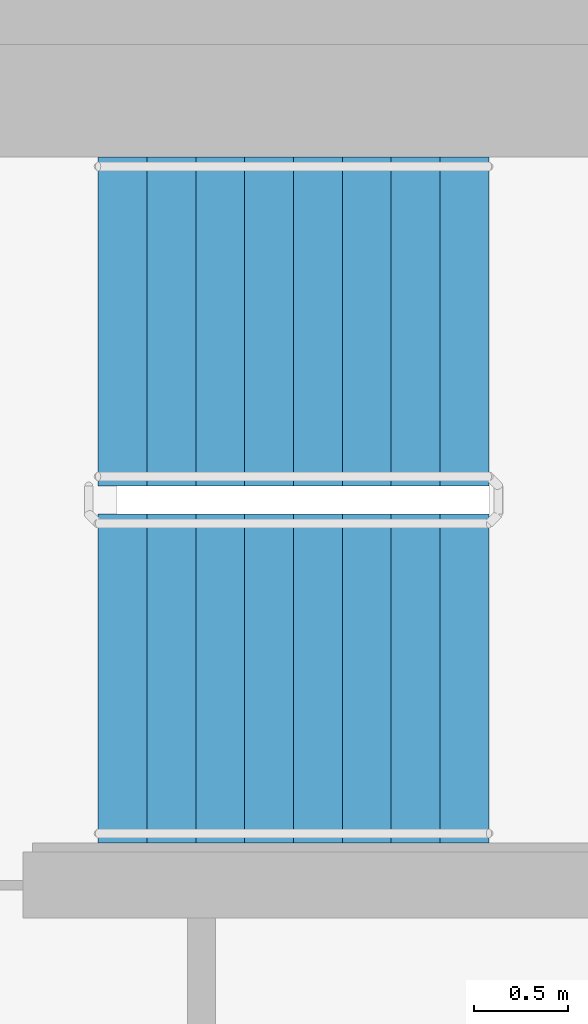
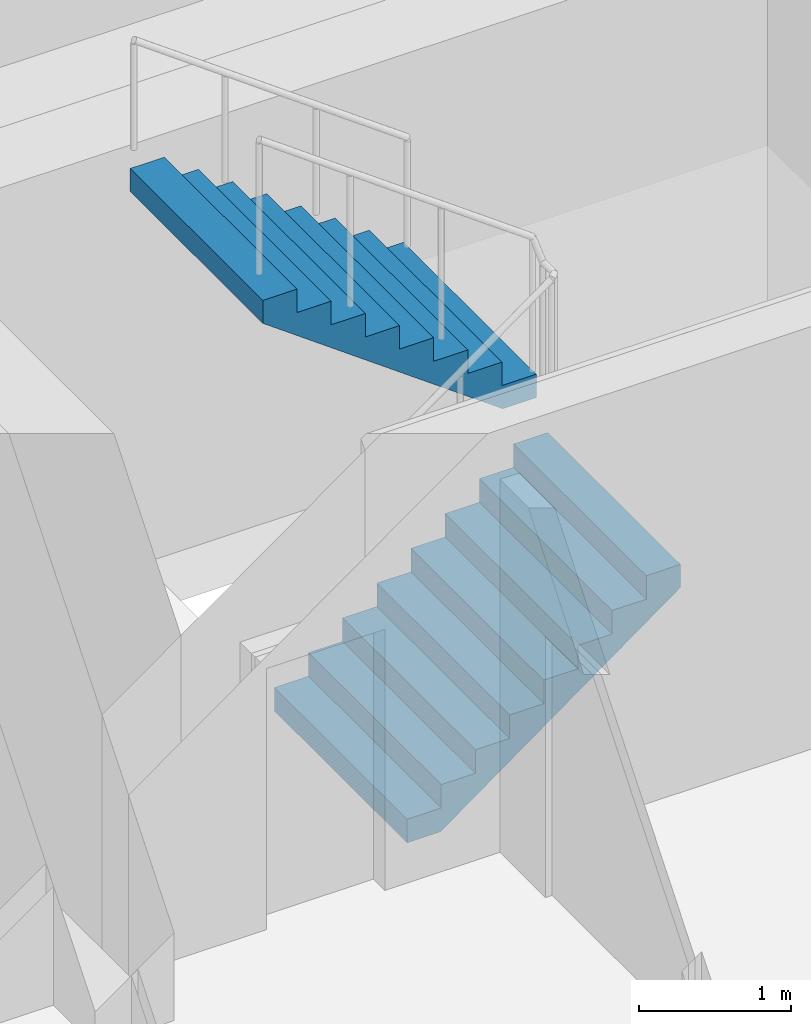
# One storey, part 13 of 18: 2 stair flights, 1 element without a shape of its own.
"""IFC4 building model written with IfcOpenShell, lengths in metres."""

from ifc_helpers import new_model, si_unit, direction, frame, origin, place, context, subcontext, project, spatial, faceted_brep, material, type_object, element, aggregate, save


model = new_model("IFC4")

# Units and contexts
model_context = context("Model", 3, precision=1e-05, world=origin(), true_north=direction((0.0, 1.0)))
body_context = subcontext(model_context, "Body", "Model", "MODEL_VIEW")
ifc_project = project(units=[si_unit("LENGTHUNIT", "METRE"), si_unit("AREAUNIT", "SQUARE_METRE"), si_unit("VOLUMEUNIT", "CUBIC_METRE"), si_unit("PLANEANGLEUNIT", "RADIAN"), si_unit("MASSUNIT", "GRAM", prefix="KILO")], contexts=[model_context])

# Site, building, storey
site_placement = place(None, origin())
site = spatial("IfcSite", under=ifc_project, at=site_placement, CompositionType="ELEMENT")
building_placement = place(site_placement, origin())
building = spatial("IfcBuilding", under=site, at=building_placement, Name="Ipe Terrace Towers", CompositionType="ELEMENT")
storey_placement = place(building_placement, frame((0.0, 0.0, 213.0)))
storey = spatial("IfcBuildingStorey", under=building, at=storey_placement, Name="L59", CompositionType="ELEMENT", Elevation=213.0)

# Stair, stair flights
ifc_material_1 = material(Name="Concrete C30/37", Category="concrete")
stair_type = type_object("IfcStairType", Name="Protected exit stair", PredefinedType="HALF_TURN_STAIR", material=ifc_material_1)
stair_placement = place(storey_placement, origin())
stair = element("IfcStair", 1, at=stair_placement, inside=storey, type_object=stair_type, Name="L59 Exit stair T1-C1", PredefinedType="HALF_TURN_STAIR")
ifc_material_2 = material(Name="Concrete C30/37", Category="concrete")
stair_flight_type = type_object("IfcStairFlightType", Name="Exit stair flight 1750", PredefinedType="STRAIGHT", material=ifc_material_2)
stair_flight_1_placement = place(storey_placement, frame((-26.300048828125, 2.77490234375, 0.0), z_axis=(0.0, 0.0, 1.0), x_axis=(1.0, 0.0, 0.0)))
stair_flight_1 = element("IfcStairFlight", 2, at=stair_flight_1_placement, type_object=stair_flight_type, Name="T1-ST1 flight 1", NumberOfRisers=9, NumberOfTreads=8, PredefinedType="STRAIGHT", RiserHeight=0.188888889, TreadLength=0.26, context=body_context, shape_type="Brep", body=[
    faceted_brep([(0.255126953125, -0.875, 0.0), (2.080078125, -0.875, 1.325927734375), (2.080078125, -0.875, 1.51123046875), (1.820068359375, -0.875, 1.51123046875), (1.820068359375, -0.875, 1.322265625), (1.56005859375, -0.875, 1.322265625), (1.56005859375, -0.875, 1.13330078125), (1.300048828125, -0.875, 1.13330078125), (1.300048828125, -0.875, 0.9443359375), (1.0400390625, -0.875, 0.9443359375), (1.0400390625, -0.875, 0.755615234375), (0.780029296875, -0.875, 0.755615234375), (0.780029296875, -0.875, 0.566650390625), (0.52001953125, -0.875, 0.566650390625), (0.52001953125, -0.875, 0.377685546875), (0.260009765625, -0.875, 0.377685546875), (0.260009765625, -0.875, 0.18896484375), (0.0, -0.875, 0.18896484375), (0.0, -0.875, 0.0), (0.0, 0.875, 0.0), (0.0, 0.875, 0.18896484375), (0.260009765625, 0.875, 0.18896484375), (0.260009765625, 0.875, 0.377685546875), (0.52001953125, 0.875, 0.377685546875), (0.52001953125, 0.875, 0.566650390625), (0.780029296875, 0.875, 0.566650390625), (0.780029296875, 0.875, 0.755615234375), (1.0400390625, 0.875, 0.755615234375), (1.0400390625, 0.875, 0.9443359375), (1.300048828125, 0.875, 0.9443359375), (1.300048828125, 0.875, 1.13330078125), (1.56005859375, 0.875, 1.13330078125), (1.56005859375, 0.875, 1.322265625), (1.820068359375, 0.875, 1.322265625), (1.820068359375, 0.875, 1.51123046875), (2.080078125, 0.875, 1.51123046875), (2.080078125, 0.875, 1.325927734375), (0.255126953125, 0.875, 0.0), (0.0, -0.300048828125, 0.18896484375), (0.0, -0.1201171875, 0.18896484375), (0.0, -0.06005859375, 0.18896484375), (0.0, -0.030029296875, 0.18896484375), (0.0, -0.010009765625, 0.18896484375), (0.0, 0.0, 0.18896484375), (0.0, 0.010009765625, 0.18896484375), (0.0, 0.030029296875, 0.18896484375), (0.0, 0.06005859375, 0.18896484375), (0.0, 0.1201171875, 0.18896484375), (0.0, 0.300048828125, 0.18896484375), (0.0, 0.300048828125, 0.0), (0.0, 0.1201171875, 0.0), (0.0, 0.06005859375, 0.0), (0.0, 0.030029296875, 0.0), (0.0, 0.010009765625, 0.0), (0.0, 0.0, 0.0), (0.0, -0.010009765625, 0.0), (0.0, -0.030029296875, 0.0), (0.0, -0.06005859375, 0.0), (0.0, -0.1201171875, 0.0), (0.0, -0.300048828125, 0.0), (0.260009765625, -0.300048828125, 0.18896484375), (0.260009765625, -0.1201171875, 0.18896484375), (0.260009765625, -0.06005859375, 0.18896484375), (0.260009765625, -0.030029296875, 0.18896484375), (0.260009765625, -0.010009765625, 0.18896484375), (0.260009765625, 0.0, 0.18896484375), (0.260009765625, 0.010009765625, 0.18896484375), (0.260009765625, 0.030029296875, 0.18896484375), (0.260009765625, 0.06005859375, 0.18896484375), (0.260009765625, 0.1201171875, 0.18896484375), (0.260009765625, 0.300048828125, 0.18896484375), (0.260009765625, -0.300048828125, 0.377685546875), (0.260009765625, -0.1201171875, 0.377685546875), (0.260009765625, -0.06005859375, 0.377685546875), (0.260009765625, -0.030029296875, 0.377685546875), (0.260009765625, -0.010009765625, 0.377685546875), (0.260009765625, 0.0, 0.377685546875), (0.260009765625, 0.010009765625, 0.377685546875), (0.260009765625, 0.030029296875, 0.377685546875), (0.260009765625, 0.06005859375, 0.377685546875), (0.260009765625, 0.1201171875, 0.377685546875), (0.260009765625, 0.300048828125, 0.377685546875), (0.52001953125, -0.300048828125, 0.377685546875), (0.52001953125, -0.1201171875, 0.377685546875), (0.52001953125, -0.06005859375, 0.377685546875), (0.52001953125, -0.030029296875, 0.377685546875), (0.52001953125, -0.010009765625, 0.377685546875), (0.52001953125, 0.0, 0.377685546875), (0.52001953125, 0.010009765625, 0.377685546875), (0.52001953125, 0.030029296875, 0.377685546875), (0.52001953125, 0.06005859375, 0.377685546875), (0.52001953125, 0.1201171875, 0.377685546875), (0.52001953125, 0.300048828125, 0.377685546875), (0.52001953125, -0.300048828125, 0.566650390625), (0.52001953125, -0.1201171875, 0.566650390625), (0.52001953125, -0.06005859375, 0.566650390625), (0.52001953125, -0.030029296875, 0.566650390625), (0.52001953125, -0.010009765625, 0.566650390625), (0.52001953125, 0.0, 0.566650390625), (0.52001953125, 0.010009765625, 0.566650390625), (0.52001953125, 0.030029296875, 0.566650390625), (0.52001953125, 0.06005859375, 0.566650390625), (0.52001953125, 0.1201171875, 0.566650390625), (0.52001953125, 0.300048828125, 0.566650390625), (0.780029296875, -0.300048828125, 0.566650390625), (0.780029296875, -0.1201171875, 0.566650390625), (0.780029296875, -0.06005859375, 0.566650390625), (0.780029296875, -0.030029296875, 0.566650390625), (0.780029296875, -0.010009765625, 0.566650390625), (0.780029296875, 0.0, 0.566650390625), (0.780029296875, 0.010009765625, 0.566650390625), (0.780029296875, 0.030029296875, 0.566650390625), (0.780029296875, 0.06005859375, 0.566650390625), (0.780029296875, 0.1201171875, 0.566650390625), (0.780029296875, 0.300048828125, 0.566650390625), (0.780029296875, -0.300048828125, 0.755615234375), (0.780029296875, -0.1201171875, 0.755615234375), (0.780029296875, -0.06005859375, 0.755615234375), (0.780029296875, -0.030029296875, 0.755615234375), (0.780029296875, -0.010009765625, 0.755615234375), (0.780029296875, 0.0, 0.755615234375), (0.780029296875, 0.010009765625, 0.755615234375), (0.780029296875, 0.030029296875, 0.755615234375), (0.780029296875, 0.06005859375, 0.755615234375), (0.780029296875, 0.1201171875, 0.755615234375), (0.780029296875, 0.300048828125, 0.755615234375), (1.0400390625, -0.300048828125, 0.755615234375), (1.0400390625, -0.1201171875, 0.755615234375), (1.0400390625, -0.06005859375, 0.755615234375), (1.0400390625, -0.030029296875, 0.755615234375), (1.0400390625, -0.010009765625, 0.755615234375), (1.0400390625, 0.0, 0.755615234375), (1.0400390625, 0.010009765625, 0.755615234375), (1.0400390625, 0.030029296875, 0.755615234375), (1.0400390625, 0.06005859375, 0.755615234375), (1.0400390625, 0.1201171875, 0.755615234375), (1.0400390625, 0.300048828125, 0.755615234375), (1.0400390625, -0.300048828125, 0.9443359375), (1.0400390625, -0.1201171875, 0.9443359375), (1.0400390625, -0.06005859375, 0.9443359375), (1.0400390625, -0.030029296875, 0.9443359375), (1.0400390625, -0.010009765625, 0.9443359375), (1.0400390625, 0.0, 0.9443359375), (1.0400390625, 0.010009765625, 0.9443359375), (1.0400390625, 0.030029296875, 0.9443359375), (1.0400390625, 0.06005859375, 0.9443359375), (1.0400390625, 0.1201171875, 0.9443359375), (1.0400390625, 0.300048828125, 0.9443359375), (1.300048828125, -0.300048828125, 0.9443359375), (1.300048828125, -0.1201171875, 0.9443359375), (1.300048828125, -0.06005859375, 0.9443359375), (1.300048828125, -0.030029296875, 0.9443359375), (1.300048828125, -0.010009765625, 0.9443359375), (1.300048828125, 0.0, 0.9443359375), (1.300048828125, 0.010009765625, 0.9443359375), (1.300048828125, 0.030029296875, 0.9443359375), (1.300048828125, 0.06005859375, 0.9443359375), (1.300048828125, 0.1201171875, 0.9443359375), (1.300048828125, 0.300048828125, 0.9443359375), (1.300048828125, -0.300048828125, 1.13330078125), (1.300048828125, -0.1201171875, 1.13330078125), (1.300048828125, -0.06005859375, 1.13330078125), (1.300048828125, -0.030029296875, 1.13330078125), (1.300048828125, -0.010009765625, 1.13330078125), (1.300048828125, 0.0, 1.13330078125), (1.300048828125, 0.010009765625, 1.13330078125), (1.300048828125, 0.030029296875, 1.13330078125), (1.300048828125, 0.06005859375, 1.13330078125), (1.300048828125, 0.1201171875, 1.13330078125), (1.300048828125, 0.300048828125, 1.13330078125), (1.56005859375, -0.300048828125, 1.13330078125), (1.56005859375, -0.1201171875, 1.13330078125), (1.56005859375, -0.06005859375, 1.13330078125), (1.56005859375, -0.030029296875, 1.13330078125), (1.56005859375, -0.010009765625, 1.13330078125), (1.56005859375, 0.0, 1.13330078125), (1.56005859375, 0.010009765625, 1.13330078125), (1.56005859375, 0.030029296875, 1.13330078125), (1.56005859375, 0.06005859375, 1.13330078125), (1.56005859375, 0.1201171875, 1.13330078125), (1.56005859375, 0.300048828125, 1.13330078125), (1.56005859375, -0.300048828125, 1.322265625), (1.56005859375, -0.1201171875, 1.322265625), (1.56005859375, -0.06005859375, 1.322265625), (1.56005859375, -0.030029296875, 1.322265625), (1.56005859375, -0.010009765625, 1.322265625), (1.56005859375, 0.0, 1.322265625), (1.56005859375, 0.010009765625, 1.322265625), (1.56005859375, 0.030029296875, 1.322265625), (1.56005859375, 0.06005859375, 1.322265625), (1.56005859375, 0.1201171875, 1.322265625), (1.56005859375, 0.300048828125, 1.322265625), (1.820068359375, -0.300048828125, 1.322265625), (1.820068359375, -0.1201171875, 1.322265625), (1.820068359375, -0.06005859375, 1.322265625), (1.820068359375, -0.030029296875, 1.322265625), (1.820068359375, -0.010009765625, 1.322265625), (1.820068359375, 0.0, 1.322265625), (1.820068359375, 0.010009765625, 1.322265625), (1.820068359375, 0.030029296875, 1.322265625), (1.820068359375, 0.06005859375, 1.322265625), (1.820068359375, 0.1201171875, 1.322265625), (1.820068359375, 0.300048828125, 1.322265625), (1.820068359375, -0.300048828125, 1.51123046875), (1.820068359375, -0.1201171875, 1.51123046875), (1.820068359375, -0.06005859375, 1.51123046875), (1.820068359375, -0.030029296875, 1.51123046875), (1.820068359375, -0.010009765625, 1.51123046875), (1.820068359375, 0.0, 1.51123046875), (1.820068359375, 0.010009765625, 1.51123046875), (1.820068359375, 0.030029296875, 1.51123046875), (1.820068359375, 0.06005859375, 1.51123046875), (1.820068359375, 0.1201171875, 1.51123046875), (1.820068359375, 0.300048828125, 1.51123046875), (2.080078125, -0.300048828125, 1.51123046875), (2.080078125, -0.1201171875, 1.51123046875), (2.080078125, -0.06005859375, 1.51123046875), (2.080078125, -0.030029296875, 1.51123046875), (2.080078125, -0.010009765625, 1.51123046875), (2.080078125, 0.0, 1.51123046875), (2.080078125, 0.010009765625, 1.51123046875), (2.080078125, 0.030029296875, 1.51123046875), (2.080078125, 0.06005859375, 1.51123046875), (2.080078125, 0.1201171875, 1.51123046875), (2.080078125, 0.300048828125, 1.51123046875), (2.080078125, -0.300048828125, 1.325927734375), (2.080078125, -0.1201171875, 1.325927734375), (2.080078125, -0.06005859375, 1.325927734375), (2.080078125, -0.030029296875, 1.325927734375), (2.080078125, -0.010009765625, 1.325927734375), (2.080078125, 0.0, 1.325927734375), (2.080078125, 0.010009765625, 1.325927734375), (2.080078125, 0.030029296875, 1.325927734375), (2.080078125, 0.06005859375, 1.325927734375), (2.080078125, 0.1201171875, 1.325927734375), (2.080078125, 0.300048828125, 1.325927734375), (0.255126953125, -0.300048828125, 0.0), (0.255126953125, -0.1201171875, 0.0), (0.255126953125, -0.06005859375, 0.0), (0.255126953125, -0.030029296875, 0.0), (0.255126953125, -0.010009765625, 0.0), (0.255126953125, 0.0, 0.0), (0.255126953125, 0.010009765625, 0.0), (0.255126953125, 0.030029296875, 0.0), (0.255126953125, 0.06005859375, 0.0), (0.255126953125, 0.1201171875, 0.0), (0.255126953125, 0.300048828125, 0.0)], [[[0, 1, 2, 3, 4, 5, 6, 7, 8, 9, 10, 11, 12, 13, 14, 15, 16, 17, 18]], [[19, 20, 21, 22, 23, 24, 25, 26, 27, 28, 29, 30, 31, 32, 33, 34, 35, 36, 37]], [[17, 38, 39, 40, 41, 42, 43, 44, 45, 46, 47, 48, 20, 19, 49, 50, 51, 52, 53, 54, 55, 56, 57, 58, 59, 18]], [[16, 60, 61, 62, 63, 64, 65, 66, 67, 68, 69, 70, 21, 20, 48, 47, 46, 45, 44, 43, 42, 41, 40, 39, 38, 17]], [[15, 71, 72, 73, 74, 75, 76, 77, 78, 79, 80, 81, 22, 21, 70, 69, 68, 67, 66, 65, 64, 63, 62, 61, 60, 16]], [[14, 82, 83, 84, 85, 86, 87, 88, 89, 90, 91, 92, 23, 22, 81, 80, 79, 78, 77, 76, 75, 74, 73, 72, 71, 15]], [[13, 93, 94, 95, 96, 97, 98, 99, 100, 101, 102, 103, 24, 23, 92, 91, 90, 89, 88, 87, 86, 85, 84, 83, 82, 14]], [[12, 104, 105, 106, 107, 108, 109, 110, 111, 112, 113, 114, 25, 24, 103, 102, 101, 100, 99, 98, 97, 96, 95, 94, 93, 13]], [[11, 115, 116, 117, 118, 119, 120, 121, 122, 123, 124, 125, 26, 25, 114, 113, 112, 111, 110, 109, 108, 107, 106, 105, 104, 12]], [[10, 126, 127, 128, 129, 130, 131, 132, 133, 134, 135, 136, 27, 26, 125, 124, 123, 122, 121, 120, 119, 118, 117, 116, 115, 11]], [[9, 137, 138, 139, 140, 141, 142, 143, 144, 145, 146, 147, 28, 27, 136, 135, 134, 133, 132, 131, 130, 129, 128, 127, 126, 10]], [[8, 148, 149, 150, 151, 152, 153, 154, 155, 156, 157, 158, 29, 28, 147, 146, 145, 144, 143, 142, 141, 140, 139, 138, 137, 9]], [[7, 159, 160, 161, 162, 163, 164, 165, 166, 167, 168, 169, 30, 29, 158, 157, 156, 155, 154, 153, 152, 151, 150, 149, 148, 8]], [[6, 170, 171, 172, 173, 174, 175, 176, 177, 178, 179, 180, 31, 30, 169, 168, 167, 166, 165, 164, 163, 162, 161, 160, 159, 7]], [[5, 181, 182, 183, 184, 185, 186, 187, 188, 189, 190, 191, 32, 31, 180, 179, 178, 177, 176, 175, 174, 173, 172, 171, 170, 6]], [[4, 192, 193, 194, 195, 196, 197, 198, 199, 200, 201, 202, 33, 32, 191, 190, 189, 188, 187, 186, 185, 184, 183, 182, 181, 5]], [[3, 203, 204, 205, 206, 207, 208, 209, 210, 211, 212, 213, 34, 33, 202, 201, 200, 199, 198, 197, 196, 195, 194, 193, 192, 4]], [[2, 214, 215, 216, 217, 218, 219, 220, 221, 222, 223, 224, 35, 34, 213, 212, 211, 210, 209, 208, 207, 206, 205, 204, 203, 3]], [[1, 225, 226, 227, 228, 229, 230, 231, 232, 233, 234, 235, 36, 35, 224, 223, 222, 221, 220, 219, 218, 217, 216, 215, 214, 2]], [[0, 236, 237, 238, 239, 240, 241, 242, 243, 244, 245, 246, 37, 36, 235, 234, 233, 232, 231, 230, 229, 228, 227, 226, 225, 1]], [[18, 59, 58, 57, 56, 55, 54, 53, 52, 51, 50, 49, 19, 37, 246, 245, 244, 243, 242, 241, 240, 239, 238, 237, 236, 0]]]),
])
stair_flight_2_placement = place(storey_placement, frame((-24.219970703125, 4.675048828125, 1.699951171875), z_axis=(0.0, 0.0, 1.0), x_axis=(-1.0, 0.0, 0.0)))
stair_flight_2 = element("IfcStairFlight", 3, at=stair_flight_2_placement, type_object=stair_flight_type, Name="T1-ST1 flight 2", NumberOfRisers=9, NumberOfTreads=8, PredefinedType="STRAIGHT", RiserHeight=0.188888889, TreadLength=0.26, context=body_context, shape_type="Brep", body=[
    faceted_brep([(0.255126953125, -0.875, 0.0), (2.080078125, -0.875, 1.325927734375), (2.080078125, -0.875, 1.51123046875), (1.820068359375, -0.875, 1.51123046875), (1.820068359375, -0.875, 1.322265625), (1.56005859375, -0.875, 1.322265625), (1.56005859375, -0.875, 1.13330078125), (1.300048828125, -0.875, 1.13330078125), (1.300048828125, -0.875, 0.9443359375), (1.0400390625, -0.875, 0.9443359375), (1.0400390625, -0.875, 0.755615234375), (0.780029296875, -0.875, 0.755615234375), (0.780029296875, -0.875, 0.566650390625), (0.52001953125, -0.875, 0.566650390625), (0.52001953125, -0.875, 0.377685546875), (0.260009765625, -0.875, 0.377685546875), (0.260009765625, -0.875, 0.18896484375), (0.0, -0.875, 0.18896484375), (0.0, -0.875, 0.0), (0.0, 0.875, 0.0), (0.0, 0.875, 0.18896484375), (0.260009765625, 0.875, 0.18896484375), (0.260009765625, 0.875, 0.377685546875), (0.52001953125, 0.875, 0.377685546875), (0.52001953125, 0.875, 0.566650390625), (0.780029296875, 0.875, 0.566650390625), (0.780029296875, 0.875, 0.755615234375), (1.0400390625, 0.875, 0.755615234375), (1.0400390625, 0.875, 0.9443359375), (1.300048828125, 0.875, 0.9443359375), (1.300048828125, 0.875, 1.13330078125), (1.56005859375, 0.875, 1.13330078125), (1.56005859375, 0.875, 1.322265625), (1.820068359375, 0.875, 1.322265625), (1.820068359375, 0.875, 1.51123046875), (2.080078125, 0.875, 1.51123046875), (2.080078125, 0.875, 1.325927734375), (0.255126953125, 0.875, 0.0), (0.0, -0.300048828125, 0.18896484375), (0.0, -0.1201171875, 0.18896484375), (0.0, -0.06005859375, 0.18896484375), (0.0, -0.030029296875, 0.18896484375), (0.0, -0.010009765625, 0.18896484375), (0.0, 0.0, 0.18896484375), (0.0, 0.010009765625, 0.18896484375), (0.0, 0.030029296875, 0.18896484375), (0.0, 0.06005859375, 0.18896484375), (0.0, 0.1201171875, 0.18896484375), (0.0, 0.300048828125, 0.18896484375), (0.0, 0.300048828125, 0.0), (0.0, 0.1201171875, 0.0), (0.0, 0.06005859375, 0.0), (0.0, 0.030029296875, 0.0), (0.0, 0.010009765625, 0.0), (0.0, 0.0, 0.0), (0.0, -0.010009765625, 0.0), (0.0, -0.030029296875, 0.0), (0.0, -0.06005859375, 0.0), (0.0, -0.1201171875, 0.0), (0.0, -0.300048828125, 0.0), (0.260009765625, -0.300048828125, 0.18896484375), (0.260009765625, -0.1201171875, 0.18896484375), (0.260009765625, -0.06005859375, 0.18896484375), (0.260009765625, -0.030029296875, 0.18896484375), (0.260009765625, -0.010009765625, 0.18896484375), (0.260009765625, 0.0, 0.18896484375), (0.260009765625, 0.010009765625, 0.18896484375), (0.260009765625, 0.030029296875, 0.18896484375), (0.260009765625, 0.06005859375, 0.18896484375), (0.260009765625, 0.1201171875, 0.18896484375), (0.260009765625, 0.300048828125, 0.18896484375), (0.260009765625, -0.300048828125, 0.377685546875), (0.260009765625, -0.1201171875, 0.377685546875), (0.260009765625, -0.06005859375, 0.377685546875), (0.260009765625, -0.030029296875, 0.377685546875), (0.260009765625, -0.010009765625, 0.377685546875), (0.260009765625, 0.0, 0.377685546875), (0.260009765625, 0.010009765625, 0.377685546875), (0.260009765625, 0.030029296875, 0.377685546875), (0.260009765625, 0.06005859375, 0.377685546875), (0.260009765625, 0.1201171875, 0.377685546875), (0.260009765625, 0.300048828125, 0.377685546875), (0.52001953125, -0.300048828125, 0.377685546875), (0.52001953125, -0.1201171875, 0.377685546875), (0.52001953125, -0.06005859375, 0.377685546875), (0.52001953125, -0.030029296875, 0.377685546875), (0.52001953125, -0.010009765625, 0.377685546875), (0.52001953125, 0.0, 0.377685546875), (0.52001953125, 0.010009765625, 0.377685546875), (0.52001953125, 0.030029296875, 0.377685546875), (0.52001953125, 0.06005859375, 0.377685546875), (0.52001953125, 0.1201171875, 0.377685546875), (0.52001953125, 0.300048828125, 0.377685546875), (0.52001953125, -0.300048828125, 0.566650390625), (0.52001953125, -0.1201171875, 0.566650390625), (0.52001953125, -0.06005859375, 0.566650390625), (0.52001953125, -0.030029296875, 0.566650390625), (0.52001953125, -0.010009765625, 0.566650390625), (0.52001953125, 0.0, 0.566650390625), (0.52001953125, 0.010009765625, 0.566650390625), (0.52001953125, 0.030029296875, 0.566650390625), (0.52001953125, 0.06005859375, 0.566650390625), (0.52001953125, 0.1201171875, 0.566650390625), (0.52001953125, 0.300048828125, 0.566650390625), (0.780029296875, -0.300048828125, 0.566650390625), (0.780029296875, -0.1201171875, 0.566650390625), (0.780029296875, -0.06005859375, 0.566650390625), (0.780029296875, -0.030029296875, 0.566650390625), (0.780029296875, -0.010009765625, 0.566650390625), (0.780029296875, 0.0, 0.566650390625), (0.780029296875, 0.010009765625, 0.566650390625), (0.780029296875, 0.030029296875, 0.566650390625), (0.780029296875, 0.06005859375, 0.566650390625), (0.780029296875, 0.1201171875, 0.566650390625), (0.780029296875, 0.300048828125, 0.566650390625), (0.780029296875, -0.300048828125, 0.755615234375), (0.780029296875, -0.1201171875, 0.755615234375), (0.780029296875, -0.06005859375, 0.755615234375), (0.780029296875, -0.030029296875, 0.755615234375), (0.780029296875, -0.010009765625, 0.755615234375), (0.780029296875, 0.0, 0.755615234375), (0.780029296875, 0.010009765625, 0.755615234375), (0.780029296875, 0.030029296875, 0.755615234375), (0.780029296875, 0.06005859375, 0.755615234375), (0.780029296875, 0.1201171875, 0.755615234375), (0.780029296875, 0.300048828125, 0.755615234375), (1.0400390625, -0.300048828125, 0.755615234375), (1.0400390625, -0.1201171875, 0.755615234375), (1.0400390625, -0.06005859375, 0.755615234375), (1.0400390625, -0.030029296875, 0.755615234375), (1.0400390625, -0.010009765625, 0.755615234375), (1.0400390625, 0.0, 0.755615234375), (1.0400390625, 0.010009765625, 0.755615234375), (1.0400390625, 0.030029296875, 0.755615234375), (1.0400390625, 0.06005859375, 0.755615234375), (1.0400390625, 0.1201171875, 0.755615234375), (1.0400390625, 0.300048828125, 0.755615234375), (1.0400390625, -0.300048828125, 0.9443359375), (1.0400390625, -0.1201171875, 0.9443359375), (1.0400390625, -0.06005859375, 0.9443359375), (1.0400390625, -0.030029296875, 0.9443359375), (1.0400390625, -0.010009765625, 0.9443359375), (1.0400390625, 0.0, 0.9443359375), (1.0400390625, 0.010009765625, 0.9443359375), (1.0400390625, 0.030029296875, 0.9443359375), (1.0400390625, 0.06005859375, 0.9443359375), (1.0400390625, 0.1201171875, 0.9443359375), (1.0400390625, 0.300048828125, 0.9443359375), (1.300048828125, -0.300048828125, 0.9443359375), (1.300048828125, -0.1201171875, 0.9443359375), (1.300048828125, -0.06005859375, 0.9443359375), (1.300048828125, -0.030029296875, 0.9443359375), (1.300048828125, -0.010009765625, 0.9443359375), (1.300048828125, 0.0, 0.9443359375), (1.300048828125, 0.010009765625, 0.9443359375), (1.300048828125, 0.030029296875, 0.9443359375), (1.300048828125, 0.06005859375, 0.9443359375), (1.300048828125, 0.1201171875, 0.9443359375), (1.300048828125, 0.300048828125, 0.9443359375), (1.300048828125, -0.300048828125, 1.13330078125), (1.300048828125, -0.1201171875, 1.13330078125), (1.300048828125, -0.06005859375, 1.13330078125), (1.300048828125, -0.030029296875, 1.13330078125), (1.300048828125, -0.010009765625, 1.13330078125), (1.300048828125, 0.0, 1.13330078125), (1.300048828125, 0.010009765625, 1.13330078125), (1.300048828125, 0.030029296875, 1.13330078125), (1.300048828125, 0.06005859375, 1.13330078125), (1.300048828125, 0.1201171875, 1.13330078125), (1.300048828125, 0.300048828125, 1.13330078125), (1.56005859375, -0.300048828125, 1.13330078125), (1.56005859375, -0.1201171875, 1.13330078125), (1.56005859375, -0.06005859375, 1.13330078125), (1.56005859375, -0.030029296875, 1.13330078125), (1.56005859375, -0.010009765625, 1.13330078125), (1.56005859375, 0.0, 1.13330078125), (1.56005859375, 0.010009765625, 1.13330078125), (1.56005859375, 0.030029296875, 1.13330078125), (1.56005859375, 0.06005859375, 1.13330078125), (1.56005859375, 0.1201171875, 1.13330078125), (1.56005859375, 0.300048828125, 1.13330078125), (1.56005859375, -0.300048828125, 1.322265625), (1.56005859375, -0.1201171875, 1.322265625), (1.56005859375, -0.06005859375, 1.322265625), (1.56005859375, -0.030029296875, 1.322265625), (1.56005859375, -0.010009765625, 1.322265625), (1.56005859375, 0.0, 1.322265625), (1.56005859375, 0.010009765625, 1.322265625), (1.56005859375, 0.030029296875, 1.322265625), (1.56005859375, 0.06005859375, 1.322265625), (1.56005859375, 0.1201171875, 1.322265625), (1.56005859375, 0.300048828125, 1.322265625), (1.820068359375, -0.300048828125, 1.322265625), (1.820068359375, -0.1201171875, 1.322265625), (1.820068359375, -0.06005859375, 1.322265625), (1.820068359375, -0.030029296875, 1.322265625), (1.820068359375, -0.010009765625, 1.322265625), (1.820068359375, 0.0, 1.322265625), (1.820068359375, 0.010009765625, 1.322265625), (1.820068359375, 0.030029296875, 1.322265625), (1.820068359375, 0.06005859375, 1.322265625), (1.820068359375, 0.1201171875, 1.322265625), (1.820068359375, 0.300048828125, 1.322265625), (1.820068359375, -0.300048828125, 1.51123046875), (1.820068359375, -0.1201171875, 1.51123046875), (1.820068359375, -0.06005859375, 1.51123046875), (1.820068359375, -0.030029296875, 1.51123046875), (1.820068359375, -0.010009765625, 1.51123046875), (1.820068359375, 0.0, 1.51123046875), (1.820068359375, 0.010009765625, 1.51123046875), (1.820068359375, 0.030029296875, 1.51123046875), (1.820068359375, 0.06005859375, 1.51123046875), (1.820068359375, 0.1201171875, 1.51123046875), (1.820068359375, 0.300048828125, 1.51123046875), (2.080078125, -0.300048828125, 1.51123046875), (2.080078125, -0.1201171875, 1.51123046875), (2.080078125, -0.06005859375, 1.51123046875), (2.080078125, -0.030029296875, 1.51123046875), (2.080078125, -0.010009765625, 1.51123046875), (2.080078125, 0.0, 1.51123046875), (2.080078125, 0.010009765625, 1.51123046875), (2.080078125, 0.030029296875, 1.51123046875), (2.080078125, 0.06005859375, 1.51123046875), (2.080078125, 0.1201171875, 1.51123046875), (2.080078125, 0.300048828125, 1.51123046875), (2.080078125, -0.300048828125, 1.325927734375), (2.080078125, -0.1201171875, 1.325927734375), (2.080078125, -0.06005859375, 1.325927734375), (2.080078125, -0.030029296875, 1.325927734375), (2.080078125, -0.010009765625, 1.325927734375), (2.080078125, 0.0, 1.325927734375), (2.080078125, 0.010009765625, 1.325927734375), (2.080078125, 0.030029296875, 1.325927734375), (2.080078125, 0.06005859375, 1.325927734375), (2.080078125, 0.1201171875, 1.325927734375), (2.080078125, 0.300048828125, 1.325927734375), (0.255126953125, -0.300048828125, 0.0), (0.255126953125, -0.1201171875, 0.0), (0.255126953125, -0.06005859375, 0.0), (0.255126953125, -0.030029296875, 0.0), (0.255126953125, -0.010009765625, 0.0), (0.255126953125, 0.0, 0.0), (0.255126953125, 0.010009765625, 0.0), (0.255126953125, 0.030029296875, 0.0), (0.255126953125, 0.06005859375, 0.0), (0.255126953125, 0.1201171875, 0.0), (0.255126953125, 0.300048828125, 0.0)], [[[0, 1, 2, 3, 4, 5, 6, 7, 8, 9, 10, 11, 12, 13, 14, 15, 16, 17, 18]], [[19, 20, 21, 22, 23, 24, 25, 26, 27, 28, 29, 30, 31, 32, 33, 34, 35, 36, 37]], [[17, 38, 39, 40, 41, 42, 43, 44, 45, 46, 47, 48, 20, 19, 49, 50, 51, 52, 53, 54, 55, 56, 57, 58, 59, 18]], [[16, 60, 61, 62, 63, 64, 65, 66, 67, 68, 69, 70, 21, 20, 48, 47, 46, 45, 44, 43, 42, 41, 40, 39, 38, 17]], [[15, 71, 72, 73, 74, 75, 76, 77, 78, 79, 80, 81, 22, 21, 70, 69, 68, 67, 66, 65, 64, 63, 62, 61, 60, 16]], [[14, 82, 83, 84, 85, 86, 87, 88, 89, 90, 91, 92, 23, 22, 81, 80, 79, 78, 77, 76, 75, 74, 73, 72, 71, 15]], [[13, 93, 94, 95, 96, 97, 98, 99, 100, 101, 102, 103, 24, 23, 92, 91, 90, 89, 88, 87, 86, 85, 84, 83, 82, 14]], [[12, 104, 105, 106, 107, 108, 109, 110, 111, 112, 113, 114, 25, 24, 103, 102, 101, 100, 99, 98, 97, 96, 95, 94, 93, 13]], [[11, 115, 116, 117, 118, 119, 120, 121, 122, 123, 124, 125, 26, 25, 114, 113, 112, 111, 110, 109, 108, 107, 106, 105, 104, 12]], [[10, 126, 127, 128, 129, 130, 131, 132, 133, 134, 135, 136, 27, 26, 125, 124, 123, 122, 121, 120, 119, 118, 117, 116, 115, 11]], [[9, 137, 138, 139, 140, 141, 142, 143, 144, 145, 146, 147, 28, 27, 136, 135, 134, 133, 132, 131, 130, 129, 128, 127, 126, 10]], [[8, 148, 149, 150, 151, 152, 153, 154, 155, 156, 157, 158, 29, 28, 147, 146, 145, 144, 143, 142, 141, 140, 139, 138, 137, 9]], [[7, 159, 160, 161, 162, 163, 164, 165, 166, 167, 168, 169, 30, 29, 158, 157, 156, 155, 154, 153, 152, 151, 150, 149, 148, 8]], [[6, 170, 171, 172, 173, 174, 175, 176, 177, 178, 179, 180, 31, 30, 169, 168, 167, 166, 165, 164, 163, 162, 161, 160, 159, 7]], [[5, 181, 182, 183, 184, 185, 186, 187, 188, 189, 190, 191, 32, 31, 180, 179, 178, 177, 176, 175, 174, 173, 172, 171, 170, 6]], [[4, 192, 193, 194, 195, 196, 197, 198, 199, 200, 201, 202, 33, 32, 191, 190, 189, 188, 187, 186, 185, 184, 183, 182, 181, 5]], [[3, 203, 204, 205, 206, 207, 208, 209, 210, 211, 212, 213, 34, 33, 202, 201, 200, 199, 198, 197, 196, 195, 194, 193, 192, 4]], [[2, 214, 215, 216, 217, 218, 219, 220, 221, 222, 223, 224, 35, 34, 213, 212, 211, 210, 209, 208, 207, 206, 205, 204, 203, 3]], [[1, 225, 226, 227, 228, 229, 230, 231, 232, 233, 234, 235, 36, 35, 224, 223, 222, 221, 220, 219, 218, 217, 216, 215, 214, 2]], [[0, 236, 237, 238, 239, 240, 241, 242, 243, 244, 245, 246, 37, 36, 235, 234, 233, 232, 231, 230, 229, 228, 227, 226, 225, 1]], [[18, 59, 58, 57, 56, 55, 54, 53, 52, 51, 50, 49, 19, 37, 246, 245, 244, 243, 242, 241, 240, 239, 238, 237, 236, 0]]]),
])
aggregate(stair, [stair_flight_1, stair_flight_2])

save(model, "model.ifc")
